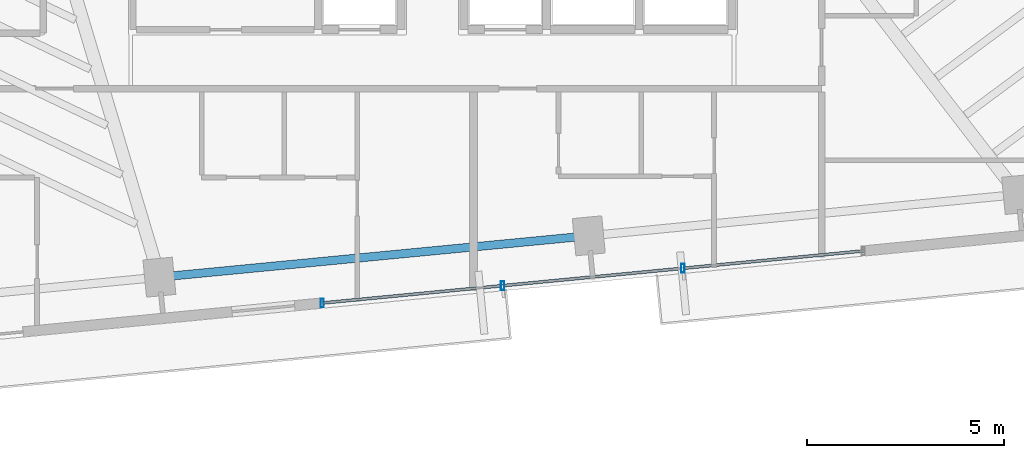
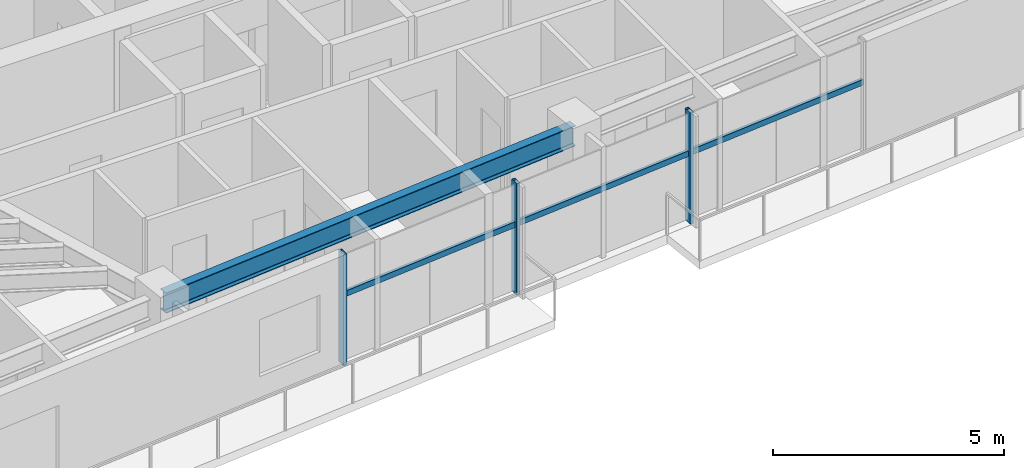
# One storey, part 4 of 18: 6 members, 1 beam, 1 element without a shape of its own.
"""IFC4 building model written with IfcOpenShell, lengths in metres."""

from ifc_helpers import new_model, si_unit, direction, frame, origin, origin_2d, place, context, subcontext, project, spatial, hollow_rectangle, i_section, extrude, source, transform, mapped, material, material_profile, profile_set, type_object, type_shapes, element, aggregate, save


model = new_model("IFC4")

# Units and contexts
model_context = context("Model", 3, precision=1e-05, world=origin(), true_north=direction((0.0, 1.0)))
body_context = subcontext(model_context, "Body", "Model", "MODEL_VIEW")
ifc_project = project(units=[si_unit("LENGTHUNIT", "METRE"), si_unit("AREAUNIT", "SQUARE_METRE"), si_unit("VOLUMEUNIT", "CUBIC_METRE"), si_unit("PLANEANGLEUNIT", "RADIAN"), si_unit("MASSUNIT", "GRAM", prefix="KILO")], contexts=[model_context])

# Site, building, storey
site_placement = place(None, origin())
site = spatial("IfcSite", under=ifc_project, at=site_placement, CompositionType="ELEMENT")
building_placement = place(site_placement, origin())
building = spatial("IfcBuilding", under=site, at=building_placement, Name="Astriad Promenade Condominiums", CompositionType="ELEMENT")
storey_placement = place(building_placement, frame((0.0, 0.0, 179.39990234375)))
storey = spatial("IfcBuildingStorey", under=building, at=storey_placement, Name="L51", CompositionType="ELEMENT", Elevation=179.39990234375)

# Beam
ifc_material_1 = material(Name="Steel ASTM A992 Grade 50", Category="steel")
ifc_material_profile_1 = material_profile(ifc_material_1, i_section(OverallWidth=0.210693359375, OverallDepth=0.53955078125, WebThickness=0.01171875, FlangeThickness=0.018798828125, FilletRadius=0.0166015625, at=origin_2d()), Name="W21X73")
ifc_profile_set_1 = profile_set([ifc_material_profile_1], Name="Steel ASTM A992 Grade 50")
beam_type = type_object("IfcBeamType", Name="STEEL SPANDREL BEAM W21X73", PredefinedType="SPANDREL", material=ifc_profile_set_1)
shared_shape_1 = source(origin(), body_context, "Body", "SweptSolid", [
    extrude(i_section(OverallWidth=0.210693359375, OverallDepth=0.53955078125, WebThickness=0.01171875, FlangeThickness=0.018798828125, FilletRadius=0.0166015625, at=origin_2d()), origin(), (0.0, 0.0, 1.0), 10.8701171875),
])
type_shapes(beam_type, [shared_shape_1])
beam_placement = place(storey_placement, frame((29.10888671875, 8.47119140625, 2.67041015625), z_axis=(0.995394986184, 0.09585834069, 0.0), x_axis=(-0.09585834069, 0.995394986184, 0.0)))
element("IfcBeam", 1, at=beam_placement, inside=storey, type_object=beam_type, Name="Perimeter Spandrel Beam SP-S2-L51", PredefinedType="SPANDREL", context=body_context, shape_type="MappedRepresentation", body=[
    mapped(shared_shape_1, transform((0.0, 0.0, 0.0), scale=1.0)),
])

# Curtain wall, members
ifc_material_2 = material(Name="Anodised aluminium Black Dark Glass Unitised", Category="aluminium")
curtain_wall_type = type_object("IfcCurtainWallType", Name="CW-B34-DARK", PredefinedType="USERDEFINED", material=ifc_material_2)
curtain_wall_placement = place(storey_placement, origin())
curtain_wall = element("IfcCurtainWall", 2, at=curtain_wall_placement, inside=storey, type_object=curtain_wall_type, Name="CW-L51-S", ObjectType="UNITISED_CURTAIN_WALL", PredefinedType="USERDEFINED")
ifc_material_3 = material(Name="Anodised aluminium 6063-T6 Black", Category="aluminium")
ifc_material_profile_2 = material_profile(ifc_material_3, hollow_rectangle(XDim=0.0849609375, YDim=0.219970703125, WallThickness=0.0048828125, at=origin_2d()), Name="ALU-MUL-85X220")
ifc_profile_set_2 = profile_set([ifc_material_profile_2], Name="Anodised aluminium 6063-T6 Black")
member_type_1 = type_object("IfcMemberType", Name="MUL-ALU-MUL-85X220", PredefinedType="MULLION", material=ifc_profile_set_2)
shared_shape_2 = source(origin(), body_context, "Body", "SweptSolid", [
    extrude(hollow_rectangle(XDim=0.0849609375, YDim=0.219970703125, WallThickness=0.0048828125, at=origin_2d()), origin(), (0.0, 0.0, 1.0), 2.940185546875),
])
type_shapes(member_type_1, [shared_shape_2])
member_1_placement = place(storey_placement, frame((42.358642578125, 8.692138671875, 0.0), z_axis=(0.0, 0.0, 1.0), x_axis=(1.0, 0.0, 0.0)))
member_1 = element("IfcMember", 3, at=member_1_placement, type_object=member_type_1, Name="CW-L51-S-MUL-01", PredefinedType="MULLION", context=body_context, shape_type="MappedRepresentation", body=[
    mapped(shared_shape_2, transform((0.0, 0.0, 0.0), scale=1.0)),
])
member_2_placement = place(storey_placement, frame((37.77978515625, 8.251220703125, 0.0), z_axis=(0.0, 0.0, 1.0), x_axis=(1.0, 0.0, 0.0)))
member_2 = element("IfcMember", 4, at=member_2_placement, type_object=member_type_1, Name="CW-L51-S-MUL-02", PredefinedType="MULLION", context=body_context, shape_type="MappedRepresentation", body=[
    mapped(shared_shape_2, transform((0.0, 0.0, 0.0), scale=1.0)),
])
member_3_placement = place(storey_placement, frame((33.201171875, 7.810302734375, 0.0), z_axis=(0.0, 0.0, 1.0), x_axis=(1.0, 0.0, 0.0)))
member_3 = element("IfcMember", 5, at=member_3_placement, type_object=member_type_1, Name="CW-L51-S-MUL-03", PredefinedType="MULLION", context=body_context, shape_type="MappedRepresentation", body=[
    mapped(shared_shape_2, transform((0.0, 0.0, 0.0), scale=1.0)),
])
ifc_material_profile_3 = material_profile(ifc_material_3, hollow_rectangle(XDim=0.074951171875, YDim=0.14990234375, WallThickness=0.004150390625, at=origin_2d()), Name="ALU-TRN-75X150")
ifc_profile_set_3 = profile_set([ifc_material_profile_3], Name="Anodised aluminium 6063-T6 Black")
member_type_2 = type_object("IfcMemberType", Name="TRN-ALU-TRN-75X150", PredefinedType="USERDEFINED", material=ifc_profile_set_3)
shared_shape_3 = source(origin(), body_context, "Body", "SweptSolid", [
    extrude(hollow_rectangle(XDim=0.074951171875, YDim=0.14990234375, WallThickness=0.004150390625, at=origin_2d()), origin(), (0.0, 0.0, 1.0), 4.60009765625),
])
member_4_placement = place(storey_placement, frame((46.9375, 9.133056640625, 1.822998046875), z_axis=(-0.995395697572, -0.095850953336, 0.0), x_axis=(0.095850953336, -0.995395697572, 0.0)))
member_4 = element("IfcMember", 6, at=member_4_placement, type_object=member_type_2, Name="CW-L51-S-TRN-00-0", ObjectType="TRANSOM", PredefinedType="USERDEFINED", context=body_context, shape_type="MappedRepresentation", body=[
    mapped(shared_shape_3, transform((0.0, 0.0, 0.0), scale=1.0)),
])
member_5_placement = place(storey_placement, frame((42.358642578125, 8.692138671875, 1.822998046875), z_axis=(-0.995395697572, -0.095850953336, 0.0), x_axis=(0.095850953336, -0.995395697572, 0.0)))
member_5 = element("IfcMember", 7, at=member_5_placement, type_object=member_type_2, Name="CW-L51-S-TRN-01-0", ObjectType="TRANSOM", PredefinedType="USERDEFINED", context=body_context, shape_type="MappedRepresentation", body=[
    mapped(shared_shape_3, transform((0.0, 0.0, 0.0), scale=1.0)),
])
shared_shape_4 = source(origin(), body_context, "Body", "SweptSolid", [
    extrude(hollow_rectangle(XDim=0.074951171875, YDim=0.14990234375, WallThickness=0.004150390625, at=origin_2d()), origin(), (0.0, 0.0, 1.0), 4.599853515625),
])
type_shapes(member_type_2, [shared_shape_3, shared_shape_4])
member_6_placement = place(storey_placement, frame((37.77978515625, 8.251220703125, 1.822998046875), z_axis=(-0.995395209924, -0.095856017336, 0.0), x_axis=(0.095856017336, -0.995395209924, 0.0)))
member_6 = element("IfcMember", 8, at=member_6_placement, type_object=member_type_2, Name="CW-L51-S-TRN-02-0", ObjectType="TRANSOM", PredefinedType="USERDEFINED", context=body_context, shape_type="MappedRepresentation", body=[
    mapped(shared_shape_4, transform((0.0, 0.0, 0.0), scale=1.0)),
])
aggregate(curtain_wall, [member_1, member_2, member_3, member_4, member_5, member_6])

save(model, "model.ifc")
